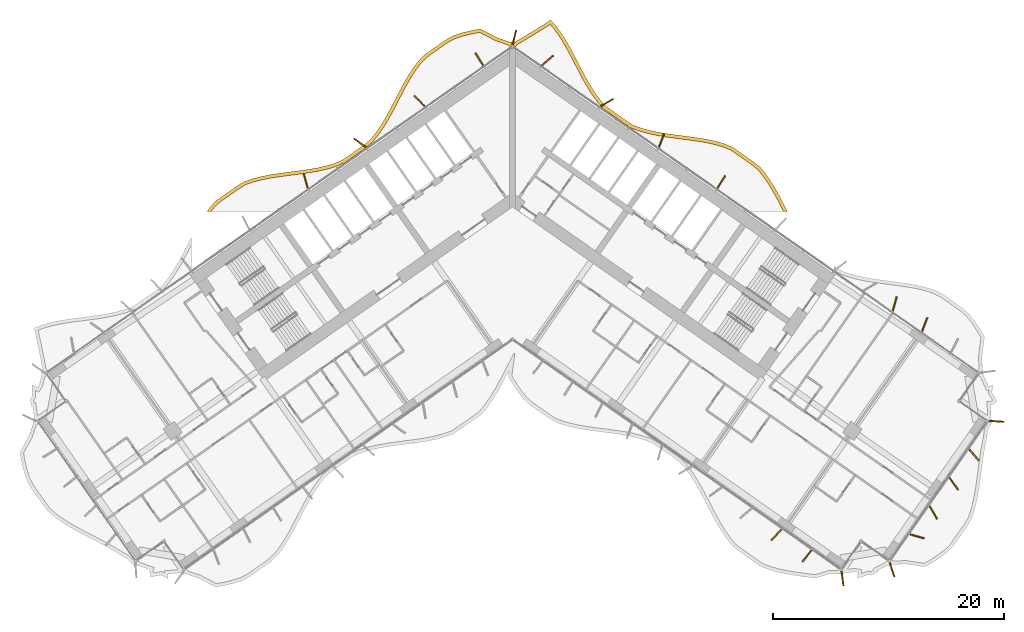
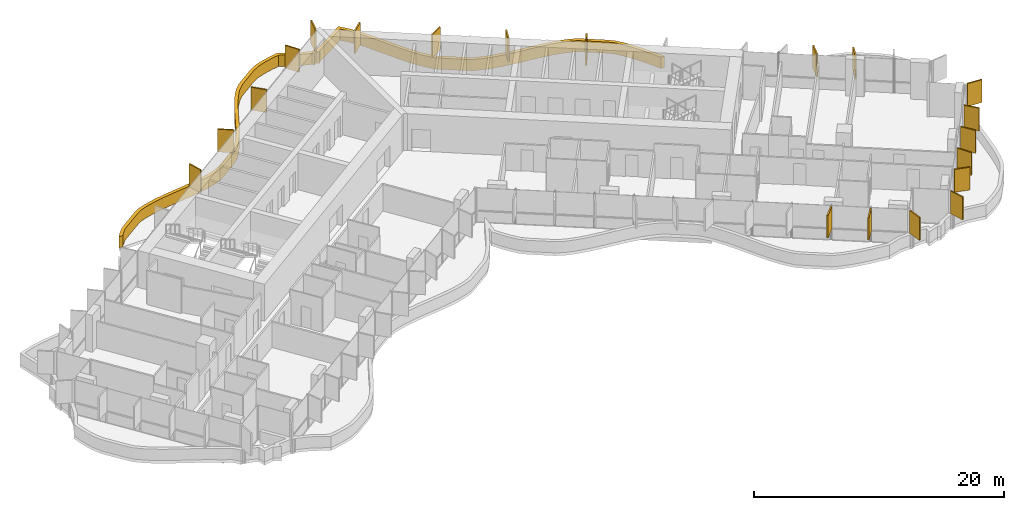
# One storey, part 22 of 23: 21 shading devices.
"""IFC4 building model written with IfcOpenShell, lengths in metres."""

from ifc_helpers import new_model, si_unit, direction, frame, origin, origin_2d, place, context, subcontext, project, spatial, polyline, rectangle, outline, extrude, material, layer, layer_set, type_object, element, save


model = new_model("IFC4")

# Units and contexts
model_context = context("Model", 3, precision=1e-05, world=origin(), true_north=direction((0.0, 1.0)))
body_context = subcontext(model_context, "Body", "Model", "MODEL_VIEW")
ifc_project = project(units=[si_unit("LENGTHUNIT", "METRE"), si_unit("AREAUNIT", "SQUARE_METRE"), si_unit("VOLUMEUNIT", "CUBIC_METRE"), si_unit("PLANEANGLEUNIT", "RADIAN"), si_unit("MASSUNIT", "GRAM", prefix="KILO")], contexts=[model_context])

# Site, building, storey
site_placement = place(None, origin())
site = spatial("IfcSite", under=ifc_project, at=site_placement, CompositionType="ELEMENT")
building_placement = place(site_placement, origin())
building = spatial("IfcBuilding", under=site, at=building_placement, Name="Tel Ilan Convention Tower", CompositionType="ELEMENT")
storey_placement = place(building_placement, frame((0.0, 0.0, 104.89990234375)))
storey = spatial("IfcBuildingStorey", under=building, at=storey_placement, Name="L22", CompositionType="ELEMENT", Elevation=104.89990234375)

# Shading devices
ifc_material_1 = material(Name="Aluminium, bronze anodised", Category="aluminium")
ifc_layer_1 = layer(ifc_material_1, 0.1201171875)
ifc_layer_set_1 = layer_set([ifc_layer_1], Name="FIN BRONZE 1300x120")
shading_device_type_1 = type_object("IfcShadingDeviceType", Name="FIN BRONZE 1300x120", PredefinedType="USERDEFINED", material=ifc_layer_set_1)
for number, where, z_axis, x_axis, name in (
    (1, (18.1064453125, 0.935302734375, 1.10009765625), (0.0, 0.0, 1.0), (0.533204432798, 0.845986425922, 0.0), "FIN"),
    (2, (12.9267578125, 4.553955078125, 1.10009765625), (0.0, 0.0, 1.0), (0.360177724803, 0.932883704733, 0.0), "FIN"),
    (3, (8.18798828125, 7.83447265625, 1.10009765625), (0.0, 0.0, 1.0), (0.866025403784, 0.5, 0.0), "FIN"),
    (4, (3.03466796875, 11.48046875, 1.10009765625), (0.0, 0.0, 1.0), (0.753435896329, 0.657521368568, 0.0), "FIN"),
    (5, (0.156005859375, 13.463134765625, 1.10009765625), (0.0, 0.0, 1.0), (0.240039791311, 0.970763049661, 0.0), "FIN"),
    (6, (-2.884765625, 11.593505859375, 1.10009765625), (0.0, 0.0, 1.0), (-0.533204432798, 0.845986425922, 0.0), "FIN"),
    (7, (-8.0615234375, 7.968505859375, 1.10009765625), (0.0, 0.0, 1.0), (-0.686241637865, 0.727373641577, 0.0), "FIN"),
    (8, (-13.224609375, 4.330078125, 1.10009765625), (0.0, 0.0, 1.0), (-0.813552070258, 0.581492071294, 0.0), "FIN"),
    (9, (-17.94384765625, 1.025634765625, 1.10009765625), (0.0, 0.0, 1.0), (-0.268172612768, 0.963370878614, 0.0), "FIN"),
    (10, (22.90478515625, -29.6513671875, 1.10009765625), (0.0, 0.0, 1.0), (-0.686241637865, -0.727373641577, 0.0), "FIN"),
    (11, (25.551025390625, -31.504638671875, 1.10009765625), (0.0, 0.0, 1.0), (-0.612600545196, -0.790392669516, 0.0), "FIN"),
    (12, (28.627685546875, -33.453125, 1.10009765625), (0.0, 0.0, 1.0), (0.125718016748, -0.992066016082, 0.0), "FIN"),
    (13, (32.9296875, -32.6943359375, 1.10009765625), (0.0, 0.0, 1.0), (0.314544756146, -0.949242643575, 0.0), "FIN"),
    (14, (35.086669921875, -29.79736328125, 1.10009765625), (0.0, 0.0, 1.0), (0.963370878614, -0.268172612768, 0.0), "FIN"),
    (15, (36.5107421875, -27.7314453125, 1.10009765625), (0.0, 0.0, 1.0), (0.5, -0.866025403784, 0.0), "FIN"),
    (16, (38.280029296875, -25.23681640625, 1.10009765625), (0.0, 0.0, 1.0), (0.581492071294, -0.813552070258, 0.0), "FIN"),
    (17, (40.045654296875, -22.737060546875, 1.10009765625), (0.0, 0.0, 1.0), (0.657521368568, -0.753435896329, 0.0), "FIN"),
    (18, (41.98974609375, -19.82373046875, 1.10009765625), (0.0, 0.0, 1.0), (0.997697449973, -0.067821812994, 0.0), "FIN"),
    (19, (35.759033203125, -11.433349609375, 1.10009765625), (0.0, 0.0, 1.0), (0.360177724803, 0.932883704733, 0.0), "FIN"),
    (20, (33.16552734375, -9.632568359375, 1.10009765625), (0.0, 0.0, 1.0), (0.268172612768, 0.963370878614, 0.0), "FIN"),
):
    element("IfcShadingDevice", number, at=place(storey_placement, frame(where, z_axis=z_axis, x_axis=x_axis)), inside=storey, type_object=shading_device_type_1, Name=name, ObjectType="FIN", PredefinedType="USERDEFINED", context=body_context, shape_type="SweptSolid", body=[
        extrude(rectangle(XDim=1.300048828125, YDim=0.1201171875, at=origin_2d()), origin(), (0.0, 0.0, 1.0), 2.219970703125),
    ])
ifc_material_2 = material(Name="Aluminium, bronze anodised", Category="aluminium")
ifc_layer_2 = layer(ifc_material_2, 0.300048828125)
ifc_layer_set_2 = layer_set([ifc_layer_2], Name="LOUVRE BAND 300x1100")
shading_device_type_2 = type_object("IfcShadingDeviceType", Name="LOUVRE BAND 300x1100", PredefinedType="USERDEFINED", material=ifc_layer_set_2)
shading_device_placement = place(storey_placement, origin())
element("IfcShadingDevice", 21, at=shading_device_placement, inside=storey, type_object=shading_device_type_2, Name="LOUVRE BAND 19.02", ObjectType="LOUVRE", PredefinedType="USERDEFINED", context=body_context, shape_type="SweptSolid", body=[
    extrude(outline(polyline([(-26.25927734375, -1.2568359375), (-26.53369140625, -1.631591796875), (-26.161865234375, -1.631591796875), (-26.0263671875, -1.44677734375), (-25.550048828125, -0.921630859375), (-23.767333984375, 0.32666015625), (-23.172119140625, 0.69384765625), (-22.488037109375, 0.931884765625), (-21.74560546875, 1.12646484375), (-20.9677734375, 1.28076171875), (-20.1630859375, 1.405517578125), (-18.510009765625, 1.619140625), (-17.68115234375, 1.73583984375), (-16.864013671875, 1.8779296875), (-16.0673828125, 2.058837890625), (-15.293212890625, 2.292236328125), (-14.563232421875, 2.620849609375), (-12.711669921875, 3.91748046875), (-12.110595703125, 4.42333984375), (-11.60400390625, 5.05859375), (-11.148193359375, 5.729736328125), (-10.724853515625, 6.43798828125), (-10.325439453125, 7.1708984375), (-9.557861328125, 8.65576171875), (-9.169921875, 9.37939453125), (-8.76708984375, 10.072509765625), (-8.3408203125, 10.72265625), (-7.890380859375, 11.3125), (-7.3837890625, 11.798583984375), (-5.60009765625, 13.047607421875), (-4.982177734375, 13.37744140625), (-4.2822265625, 13.604248046875), (-3.5302734375, 13.78759765625), (-2.8408203125, 13.914306640625), (-1.48388671875, 13.200927734375), (-0.362060546875, 12.812255859375), (-0.24609375, 12.646728515625), (0.0, 12.818115234375), (0.24609375, 12.646728515625), (0.38134765625, 12.839599609375), (1.88916015625, 13.747314453125), (3.271728515625, 14.607177734375), (3.593017578125, 14.232666015625), (4.037353515625, 13.614990234375), (4.454345703125, 12.947998046875), (4.8505859375, 12.2421875), (6.0068359375, 10.025390625), (6.4140625, 9.2998046875), (6.84814453125, 8.603759765625), (7.318115234375, 7.94921875), (7.845947265625, 7.3291015625), (9.697021484375, 6.0283203125), (10.3486328125, 5.60009765625), (11.1142578125, 5.323974609375), (11.8935546875, 5.112060546875), (12.69873046875, 4.94677734375), (13.521240234375, 4.815673828125), (15.99755859375, 4.4873046875), (16.79345703125, 4.35302734375), (17.559326171875, 4.18505859375), (18.284423828125, 3.97412109375), (18.94091796875, 3.7060546875), (20.723876953125, 2.457763671875), (21.272216796875, 2.02392578125), (21.729736328125, 1.462646484375), (22.166748046875, 0.83154296875), (22.57763671875, 0.153564453125), (22.97021484375, -0.56005859375), (23.52587890625, -1.631591796875), (23.86328125, -1.631591796875), (23.23486328125, -0.41845703125), (22.837646484375, 0.303466796875), (22.418701171875, 0.99462890625), (21.9697265625, 1.64306640625), (21.484130859375, 2.239013671875), (20.903076171875, 2.698486328125), (19.08544921875, 3.97119140625), (18.38330078125, 4.2578125), (17.63330078125, 4.47607421875), (16.8505859375, 4.647705078125), (16.043212890625, 4.783935546875), (13.564697265625, 5.112548828125), (12.75244140625, 5.241943359375), (11.963134765625, 5.404052734375), (11.20458984375, 5.610107421875), (10.483642578125, 5.8701171875), (9.865478515625, 6.276611328125), (8.050048828125, 7.55224609375), (7.5546875, 8.134033203125), (7.09765625, 8.770751953125), (6.672119140625, 9.452880859375), (6.2705078125, 10.168701171875), (5.1142578125, 12.385498046875), (4.71240234375, 13.100830078125), (4.28662109375, 13.7822265625), (3.8291015625, 14.418212890625), (3.331787109375, 14.997802734375), (1.732666015625, 14.003173828125), (0.168701171875, 13.059326171875), (0.11474609375, 13.09521484375), (0.0, 13.1181640625), (-0.11474609375, 13.09521484375), (-0.168701171875, 13.059326171875), (-1.3642578125, 13.47705078125), (-2.79296875, 14.228271484375), (-3.593017578125, 14.0810546875), (-4.364013671875, 13.89306640625), (-5.099853515625, 13.654541015625), (-5.75732421875, 13.3037109375), (-7.57470703125, 12.031005859375), (-8.11474609375, 11.512939453125), (-8.585693359375, 10.896240234375), (-9.022216796875, 10.230224609375), (-9.431884765625, 9.52587890625), (-9.823486328125, 8.79541015625), (-10.59033203125, 7.311767578125), (-10.985595703125, 6.586669921875), (-11.401123046875, 5.89111328125), (-11.845703125, 5.236572265625), (-12.326416015625, 4.633544921875), (-12.89453125, 4.155517578125), (-14.712158203125, 2.8828125), (-15.398681640625, 2.573974609375), (-16.14404296875, 2.34912109375), (-16.923095703125, 2.172119140625), (-17.727783203125, 2.0322265625), (-18.5498046875, 1.91650390625), (-20.20556640625, 1.70263671875), (-21.02001953125, 1.576171875), (-21.812744140625, 1.4189453125), (-22.57568359375, 1.218994140625), (-23.301513671875, 0.96630859375), (-23.93212890625, 0.577392578125), (-25.749755859375, -0.695068359375), (-26.25927734375, -1.2568359375)])), origin(), (0.0, 0.0, 1.0), 1.10009765625),
])

save(model, "model.ifc")
